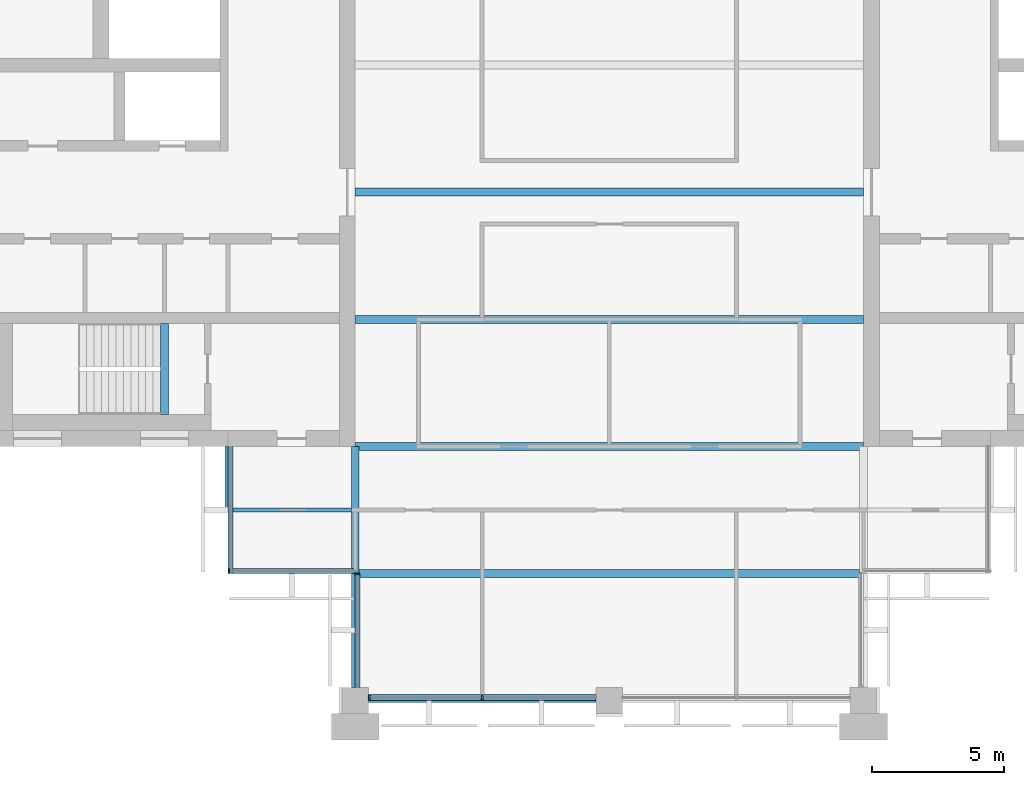
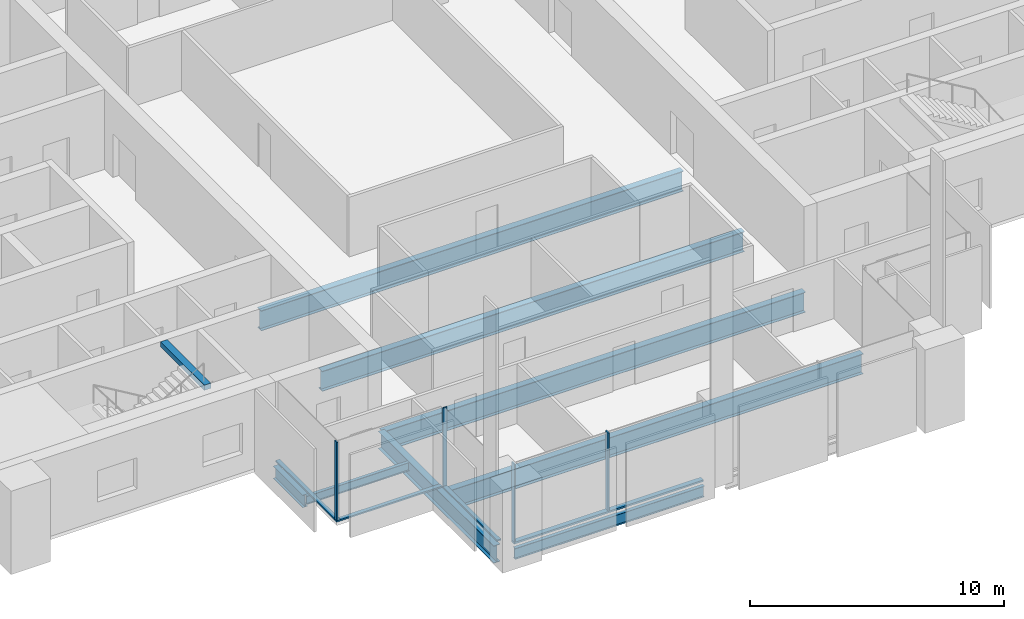
# One storey, part 2 of 13: 9 beams, 8 members, 4 elements without a shape of their own.
"""IFC4 building model written with IfcOpenShell, lengths in metres."""

from ifc_helpers import new_model, si_unit, direction, frame, origin, origin_2d, place, context, subcontext, project, spatial, rectangle, i_section, extrude, material, material_profile, profile_set, type_object, element, aggregate, save


model = new_model("IFC4")

# Units and contexts
model_context = context("Model", 3, precision=1e-05, world=origin(), true_north=direction((0.0, 1.0)))
body_context = subcontext(model_context, "Body", "Model", "MODEL_VIEW")
ifc_project = project(units=[si_unit("LENGTHUNIT", "METRE"), si_unit("AREAUNIT", "SQUARE_METRE"), si_unit("VOLUMEUNIT", "CUBIC_METRE"), si_unit("PLANEANGLEUNIT", "RADIAN"), si_unit("MASSUNIT", "GRAM", prefix="KILO")], contexts=[model_context])

# Site, building, storey
site_placement = place(None, origin())
site = spatial("IfcSite", under=ifc_project, at=site_placement, CompositionType="ELEMENT")
building_placement = place(site_placement, origin())
building = spatial("IfcBuilding", under=site, at=building_placement, Name="Baori Bourse Tower", CompositionType="ELEMENT")
storey_placement = place(building_placement, frame((0.0, 0.0, 330.300048828125)))
storey = spatial("IfcBuildingStorey", under=building, at=storey_placement, Name="L73", CompositionType="ELEMENT", Elevation=330.300048828125)

# Curtain wall, member
ifc_material_1 = material(Name="Pale anodised aluminium", Category="aluminium")
curtain_wall_type_1 = type_object("IfcCurtainWallType", Name="CW2 Curtain wall", PredefinedType="NOTDEFINED", material=ifc_material_1)
curtain_wall_1_placement = place(storey_placement, origin())
curtain_wall_1 = element("IfcCurtainWall", 1, at=curtain_wall_1_placement, inside=storey, type_object=curtain_wall_type_1, Name="Curtain wall CW2 L73 9", PredefinedType="NOTDEFINED")
ifc_material_2 = material(Name="Pale anodised aluminium", Category="aluminium")
ifc_material_profile_1 = material_profile(ifc_material_2, rectangle(XDim=0.179931640625, YDim=0.054931640625, at=origin_2d()), Name="Mullion 55x180")
ifc_profile_set_1 = profile_set([ifc_material_profile_1], Name="Pale anodised aluminium")
member_type_1 = type_object("IfcMemberType", Name="CW2 Curtain wall mullion", PredefinedType="MULLION", material=ifc_profile_set_1)
member_1_placement = place(storey_placement, frame((14.427490234375, 4.889892578125, 0.070068359375), z_axis=(0.0, 0.0, 1.0), x_axis=(0.0, 1.0, 0.0)))
member_1 = element("IfcMember", 2, at=member_1_placement, type_object=member_type_1, Name="Curtain wall CW2 mullion", PredefinedType="MULLION", context=body_context, shape_type="SweptSolid", body=[
    extrude(rectangle(XDim=0.179931640625, YDim=0.054931640625, at=origin_2d()), origin(), (0.0, 0.0, 1.0), 3.769775390625),
])

curtain_wall_2_placement = place(storey_placement, origin())
curtain_wall_2 = element("IfcCurtainWall", 3, at=curtain_wall_2_placement, inside=storey, type_object=curtain_wall_type_1, Name="Curtain wall CW2 L73 10", PredefinedType="NOTDEFINED")
member_2_placement = place(storey_placement, frame((19.2900390625, 4.7724609375, 0.070068359375), z_axis=(0.0, 0.0, 1.0), x_axis=(1.0, 0.0, 0.0)))
member_2 = element("IfcMember", 4, at=member_2_placement, type_object=member_type_1, Name="Curtain wall CW2 mullion", PredefinedType="MULLION", context=body_context, shape_type="SweptSolid", body=[
    extrude(rectangle(XDim=0.179931640625, YDim=0.054931640625, at=origin_2d()), origin(), (0.0, 0.0, 1.0), 3.769775390625),
])

curtain_wall_3_placement = place(storey_placement, origin())
curtain_wall_3 = element("IfcCurtainWall", 5, at=curtain_wall_3_placement, inside=storey, type_object=curtain_wall_type_1, Name="Curtain wall CW2 L73 8", PredefinedType="NOTDEFINED")
ifc_material_3 = material(Name="Pale anodised aluminium", Category="aluminium")
ifc_material_profile_2 = material_profile(ifc_material_3, rectangle(XDim=0.179931640625, YDim=0.070068359375, at=origin_2d()), Name="Transom 70x180")
ifc_profile_set_2 = profile_set([ifc_material_profile_2], Name="Pale anodised aluminium")
member_type_2 = type_object("IfcMemberType", Name="CW2 Curtain wall transom", PredefinedType="USERDEFINED", material=ifc_profile_set_2)
member_3_placement = place(storey_placement, frame((14.489990234375, 9.60009765625, 0.034912109375), z_axis=(0.0, -1.0, 0.0), x_axis=(1.0, 0.0, 0.0)))
member_3 = element("IfcMember", 6, at=member_3_placement, type_object=member_type_2, Name="Curtain wall CW2 sill rail", ObjectType="TRANSOM", PredefinedType="USERDEFINED", context=body_context, shape_type="SweptSolid", body=[
    extrude(rectangle(XDim=0.179931640625, YDim=0.070068359375, at=origin_2d()), origin(), (0.0, 0.0, 1.0), 4.800048828125),
])
aggregate(curtain_wall_3, [member_3])

# Member
member_4_placement = place(storey_placement, frame((14.39990234375, 4.889892578125, 0.034912109375), z_axis=(1.0, 0.0, 0.0), x_axis=(0.0, 1.0, 0.0)))
member_4 = element("IfcMember", 7, at=member_4_placement, type_object=member_type_2, Name="Curtain wall CW2 sill rail", ObjectType="TRANSOM", PredefinedType="USERDEFINED", context=body_context, shape_type="SweptSolid", body=[
    extrude(rectangle(XDim=0.179931640625, YDim=0.070068359375, at=origin_2d()), origin(), (0.0, 0.0, 1.0), 4.800048828125),
])

aggregate(curtain_wall_1, [member_4, member_1])

member_5_placement = place(storey_placement, frame((19.2900390625, 4.800048828125, 0.034912109375), z_axis=(0.0, -1.0, 0.0), x_axis=(1.0, 0.0, 0.0)))
member_5 = element("IfcMember", 8, at=member_5_placement, type_object=member_type_2, Name="Curtain wall CW2 sill rail", ObjectType="TRANSOM", PredefinedType="USERDEFINED", context=body_context, shape_type="SweptSolid", body=[
    extrude(rectangle(XDim=0.179931640625, YDim=0.070068359375, at=origin_2d()), origin(), (0.0, 0.0, 1.0), 4.300048828125),
])

aggregate(curtain_wall_2, [member_5, member_2])

# Curtain wall, members
ifc_material_4 = material(Name="Pale anodised aluminium", Category="aluminium")
curtain_wall_type_2 = type_object("IfcCurtainWallType", Name="CW5 Curtain wall", PredefinedType="NOTDEFINED", material=ifc_material_4)
curtain_wall_4_placement = place(storey_placement, origin())
curtain_wall_4 = element("IfcCurtainWall", 9, at=curtain_wall_4_placement, inside=storey, type_object=curtain_wall_type_2, Name="Curtain wall CW5 L73 11", PredefinedType="NOTDEFINED")
ifc_material_5 = material(Name="Pale anodised aluminium", Category="aluminium")
ifc_material_profile_3 = material_profile(ifc_material_5, rectangle(XDim=0.219970703125, YDim=0.06494140625, at=origin_2d()), Name="Mullion 65x220")
ifc_profile_set_3 = profile_set([ifc_material_profile_3], Name="Pale anodised aluminium")
member_type_3 = type_object("IfcMemberType", Name="CW5 Curtain wall mullion", PredefinedType="MULLION", material=ifc_profile_set_3)
member_6_placement = place(storey_placement, frame((19.732421875, 0.110107421875, 0.0849609375), z_axis=(0.0, 0.0, 1.0), x_axis=(0.0, 1.0, 0.0)))
member_6 = element("IfcMember", 10, at=member_6_placement, type_object=member_type_3, Name="Curtain wall CW5 mullion", PredefinedType="MULLION", context=body_context, shape_type="SweptSolid", body=[
    extrude(rectangle(XDim=0.219970703125, YDim=0.06494140625, at=origin_2d()), origin(), (0.0, 0.0, 1.0), 3.7548828125),
])
member_7_placement = place(storey_placement, frame((24.0, 0.110107421875, 0.0849609375), z_axis=(0.0, 0.0, 1.0), x_axis=(0.0, 1.0, 0.0)))
member_7 = element("IfcMember", 11, at=member_7_placement, type_object=member_type_3, Name="Curtain wall CW5 mullion", PredefinedType="MULLION", context=body_context, shape_type="SweptSolid", body=[
    extrude(rectangle(XDim=0.219970703125, YDim=0.06494140625, at=origin_2d()), origin(), (0.0, 0.0, 1.0), 3.7548828125),
])
ifc_material_6 = material(Name="Pale anodised aluminium", Category="aluminium")
ifc_material_profile_4 = material_profile(ifc_material_6, rectangle(XDim=0.219970703125, YDim=0.0849609375, at=origin_2d()), Name="Transom 85x220")
ifc_profile_set_4 = profile_set([ifc_material_profile_4], Name="Pale anodised aluminium")
member_type_4 = type_object("IfcMemberType", Name="CW5 Curtain wall transom", PredefinedType="USERDEFINED", material=ifc_profile_set_4)
member_8_placement = place(storey_placement, frame((19.699951171875, 0.110107421875, 0.04248046875), z_axis=(1.0, 0.0, 0.0), x_axis=(0.0, 1.0, 0.0)))
member_8 = element("IfcMember", 12, at=member_8_placement, type_object=member_type_4, Name="Curtain wall CW5 sill rail", ObjectType="TRANSOM", PredefinedType="USERDEFINED", context=body_context, shape_type="SweptSolid", body=[
    extrude(rectangle(XDim=0.219970703125, YDim=0.0849609375, at=origin_2d()), origin(), (0.0, 0.0, 1.0), 8.60009765625),
])
aggregate(curtain_wall_4, [member_8, member_6, member_7])

# Beams
ifc_material_7 = material(Name="Steel A992 Gr 50", Category="steel")
ifc_material_profile_5 = material_profile(ifc_material_7, i_section(OverallWidth=0.227783203125, OverallDepth=0.60205078125, WebThickness=0.010498046875, FlangeThickness=0.014892578125, at=origin_2d()), Name="W24x68")
ifc_profile_set_5 = profile_set([ifc_material_profile_5], Name="Steel A992 Gr 50")
beam_type_1 = type_object("IfcBeamType", Name="Core bracket W24x68", PredefinedType="BEAM", material=ifc_profile_set_5)
beam_1_placement = place(storey_placement, frame((14.39990234375, 7.270263671875, -0.4609375), z_axis=(0.0, 1.0, 0.0), x_axis=(-1.0, 0.0, 0.0)))
element("IfcBeam", 13, at=beam_1_placement, inside=storey, type_object=beam_type_1, Name="Core bracket L73", PredefinedType="BEAM", context=body_context, shape_type="SweptSolid", body=[
    extrude(i_section(OverallWidth=0.227783203125, OverallDepth=0.60205078125, WebThickness=0.010498046875, FlangeThickness=0.014892578125, at=origin_2d()), origin(), (0.0, 0.0, 1.0), 2.329833984375),
])
ifc_material_8 = material(Name="Steel A992 Gr 50", Category="steel")
ifc_material_profile_6 = material_profile(ifc_material_8, i_section(OverallWidth=0.1650390625, OverallDepth=0.52587890625, WebThickness=0.0087890625, FlangeThickness=0.011474609375, at=origin_2d()), Name="W21x44")
ifc_profile_set_6 = profile_set([ifc_material_profile_6], Name="Steel A992 Gr 50")
beam_type_2 = type_object("IfcBeamType", Name="Edge beam W21x44", PredefinedType="BEAM", material=ifc_profile_set_6)
beam_2_placement = place(storey_placement, frame((19.699951171875, 0.0, -0.4228515625), z_axis=(1.0, 0.0, 0.0), x_axis=(0.0, 1.0, 0.0)))
element("IfcBeam", 14, at=beam_2_placement, inside=storey, type_object=beam_type_2, Name="Edge beam L73", PredefinedType="BEAM", context=body_context, shape_type="SweptSolid", body=[
    extrude(i_section(OverallWidth=0.1650390625, OverallDepth=0.52587890625, WebThickness=0.0087890625, FlangeThickness=0.011474609375, at=origin_2d()), origin(), (0.0, 0.0, 1.0), 8.60009765625),
])
ifc_material_9 = material(Name="Steel A992 Gr 50", Category="steel")
ifc_material_profile_7 = material_profile(ifc_material_9, i_section(OverallWidth=0.2998046875, OverallDepth=0.97021484375, WebThickness=0.01611328125, FlangeThickness=0.02099609375, at=origin_2d()), Name="W40x149")
ifc_profile_set_7 = profile_set([ifc_material_profile_7], Name="Steel A992 Gr 50")
beam_type_3 = type_object("IfcBeamType", Name="Floor beam W40x149", PredefinedType="BEAM", material=ifc_profile_set_7)
beam_3_placement = place(storey_placement, frame((19.345947265625, 4.800048828125, -0.645263671875), z_axis=(1.0, 0.0, 0.0), x_axis=(0.0, 1.0, 0.0)))
element("IfcBeam", 15, at=beam_3_placement, inside=storey, type_object=beam_type_3, Name="Floor beam L73", PredefinedType="BEAM", context=body_context, shape_type="SweptSolid", body=[
    extrude(i_section(OverallWidth=0.2998046875, OverallDepth=0.97021484375, WebThickness=0.01611328125, FlangeThickness=0.02099609375, at=origin_2d()), origin(), (0.0, 0.0, 1.0), 18.907958984375),
])
for number, where, z_axis, x_axis, name in (
    (16, (19.199951171875, 9.60009765625, -0.645263671875), (1.0, 0.0, 0.0), (0.0, 1.0, 0.0), "Floor beam L73"),
    (17, (19.199951171875, 14.39990234375, -0.645263671875), (1.0, 0.0, 0.0), (0.0, 1.0, 0.0), "Floor beam L73"),
    (18, (19.199951171875, 19.199951171875, -0.645263671875), (1.0, 0.0, 0.0), (0.0, 1.0, 0.0), "Floor beam L73"),
):
    element("IfcBeam", number, at=place(storey_placement, frame(where, z_axis=z_axis, x_axis=x_axis)), inside=storey, type_object=beam_type_3, Name=name, PredefinedType="BEAM", context=body_context, shape_type="SweptSolid", body=[
        extrude(i_section(OverallWidth=0.2998046875, OverallDepth=0.97021484375, WebThickness=0.01611328125, FlangeThickness=0.02099609375, at=origin_2d()), origin(), (0.0, 0.0, 1.0), 19.199951171875),
    ])
ifc_material_10 = material(Name="Steel A992 Gr 50", Category="steel")
ifc_material_profile_8 = material_profile(ifc_material_10, i_section(OverallWidth=0.2919921875, OverallDepth=0.835693359375, WebThickness=0.013916015625, FlangeThickness=0.018798828125, at=origin_2d()), Name="W33x118")
ifc_profile_set_8 = profile_set([ifc_material_profile_8], Name="Steel A992 Gr 50")
beam_type_4 = type_object("IfcBeamType", Name="Girder W33x118", PredefinedType="BEAM", material=ifc_profile_set_8)
beam_4_placement = place(storey_placement, frame((19.199951171875, 0.5, -0.577880859375), z_axis=(0.0, 1.0, 0.0), x_axis=(-1.0, 0.0, 0.0)))
element("IfcBeam", 19, at=beam_4_placement, inside=storey, type_object=beam_type_4, Name="Girder L73", PredefinedType="BEAM", context=body_context, shape_type="SweptSolid", body=[
    extrude(i_section(OverallWidth=0.2919921875, OverallDepth=0.835693359375, WebThickness=0.013916015625, FlangeThickness=0.018798828125, at=origin_2d()), origin(), (0.0, 0.0, 1.0), 9.10009765625),
])
ifc_material_11 = material(Name="Concrete f'c 50 MPa", Category="concrete")
ifc_material_profile_9 = material_profile(ifc_material_11, rectangle(XDim=0.300048828125, YDim=0.25, at=origin_2d()), Name="RC 300x250")
ifc_profile_set_9 = profile_set([ifc_material_profile_9], Name="Concrete f'c 50 MPa")
beam_type_5 = type_object("IfcBeamType", Name="Stair nib beam RC 300x250", PredefinedType="BEAM", material=ifc_profile_set_9)
beam_5_placement = place(storey_placement, frame((12.0, 10.800048828125, 3.71484375), z_axis=(0.0, 1.0, 0.0), x_axis=(-1.0, 0.0, 0.0)))
element("IfcBeam", 20, at=beam_5_placement, inside=storey, type_object=beam_type_5, Name="Stair WA nib beam L74", PredefinedType="BEAM", context=body_context, shape_type="SweptSolid", body=[
    extrude(rectangle(XDim=0.300048828125, YDim=0.25, at=origin_2d()), origin(), (0.0, 0.0, 1.0), 3.449951171875),
])
ifc_material_12 = material(Name="Steel A992 Gr 50", Category="steel")
ifc_material_profile_10 = material_profile(ifc_material_12, i_section(OverallWidth=0.140380859375, OverallDepth=0.40380859375, WebThickness=0.007080078125, FlangeThickness=0.01123046875, at=origin_2d()), Name="W16x31")
ifc_profile_set_10 = profile_set([ifc_material_profile_10], Name="Steel A992 Gr 50")
beam_type_6 = type_object("IfcBeamType", Name="Trimmer beam W16x31", PredefinedType="BEAM", material=ifc_profile_set_10)
beam_6_placement = place(storey_placement, frame((14.39990234375, 7.199951171875, -0.362060546875), z_axis=(1.0, 0.0, 0.0), x_axis=(0.0, 1.0, 0.0)))
element("IfcBeam", 21, at=beam_6_placement, inside=storey, type_object=beam_type_6, Name="Trimmer beam L73", PredefinedType="BEAM", context=body_context, shape_type="SweptSolid", body=[
    extrude(i_section(OverallWidth=0.140380859375, OverallDepth=0.40380859375, WebThickness=0.007080078125, FlangeThickness=0.01123046875, at=origin_2d()), origin(), (0.0, 0.0, 1.0), 4.654052734375),
])

save(model, "model.ifc")
